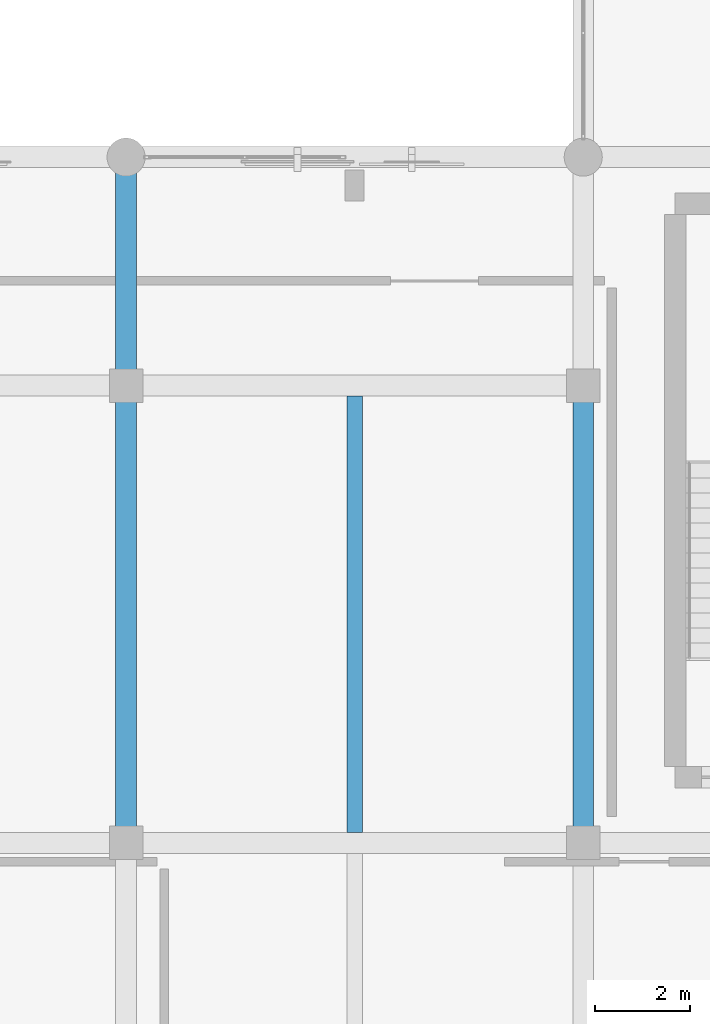
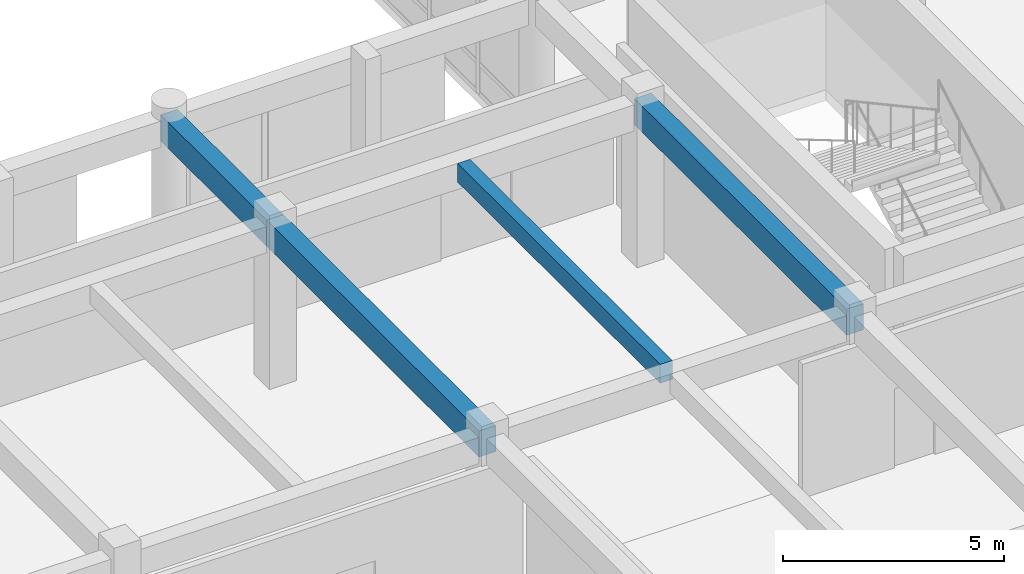
# One storey, part 29 of 133: 4 beams.
"""IFC4 building model written with IfcOpenShell, lengths in metres."""

from ifc_helpers import new_model, si_unit, direction, frame, origin, origin_2d, place, context, subcontext, project, spatial, rectangle, extrude, material, material_profile, profile_set, type_object, element, save


model = new_model("IFC4")

# Units and contexts
model_context = context("Model", 3, precision=1e-05, world=origin(), true_north=direction((0.0, 1.0)))
body_context = subcontext(model_context, "Body", "Model", "MODEL_VIEW")
ifc_project = project(units=[si_unit("LENGTHUNIT", "METRE"), si_unit("AREAUNIT", "SQUARE_METRE"), si_unit("VOLUMEUNIT", "CUBIC_METRE"), si_unit("PLANEANGLEUNIT", "RADIAN"), si_unit("MASSUNIT", "GRAM", prefix="KILO")], contexts=[model_context])

# Site, building, storey
site_placement = place(None, origin())
site = spatial("IfcSite", under=ifc_project, at=site_placement, CompositionType="ELEMENT")
building_placement = place(site_placement, origin())
building = spatial("IfcBuilding", under=site, at=building_placement, Name="Nakhvara Creek Congress Hotel", CompositionType="ELEMENT")
storey_placement = place(building_placement, frame((0.0, 0.0, 11.39990234375)))
storey = spatial("IfcBuildingStorey", under=building, at=storey_placement, Name="L02", CompositionType="ELEMENT", Elevation=11.39990234375)

# Beams
ifc_material = material(Name="Concrete C40/50", Category="concrete")
ifc_material_profile_1 = material_profile(ifc_material, rectangle(XDim=0.320068359375, YDim=0.52001953125, at=origin_2d()), Name="RC-BM 320x520", Category="LoadBearing")
ifc_profile_set_1 = profile_set([ifc_material_profile_1], Name="Concrete C40/50")
beam_type_1 = type_object("IfcBeamType", Name="BM-RC-320X520", PredefinedType="JOIST", material=ifc_profile_set_1)
beam_1_placement = place(storey_placement, frame((120.0, 29.02001953125, 4.16015625), z_axis=(0.0, 1.0, 0.0), x_axis=(-1.0, 0.0, 0.0)))
element("IfcBeam", 1, at=beam_1_placement, inside=storey, type_object=beam_type_1, Name="Secondary Joist BJ2-L02-1685", PredefinedType="JOIST", context=body_context, shape_type="SweptSolid", body=[
    extrude(rectangle(XDim=0.320068359375, YDim=0.52001953125, at=origin_2d()), origin(), (0.0, 0.0, 1.0), 9.159912109375),
])
ifc_material_profile_2 = material_profile(ifc_material, rectangle(XDim=0.43994140625, YDim=0.719970703125, at=origin_2d()), Name="RC-BM 440x720", Category="LoadBearing")
ifc_profile_set_2 = profile_set([ifc_material_profile_2], Name="Concrete C40/50")
beam_type_2 = type_object("IfcBeamType", Name="BM-RC-440X720", PredefinedType="BEAM", material=ifc_profile_set_2)
beam_2_placement = place(storey_placement, frame((115.199951171875, 28.800048828125, 4.06005859375), z_axis=(0.0, 1.0, 0.0), x_axis=(-1.0, 0.0, 0.0)))
element("IfcBeam", 2, at=beam_2_placement, inside=storey, type_object=beam_type_2, Name="Beam B12-L02-1510", PredefinedType="BEAM", context=body_context, shape_type="SweptSolid", body=[
    extrude(rectangle(XDim=0.43994140625, YDim=0.719970703125, at=origin_2d()), origin(), (0.0, 0.0, 1.0), 9.599853515625),
])
beam_3_placement = place(storey_placement, frame((115.199951171875, 38.39990234375, 4.06005859375), z_axis=(0.0, 1.0, 0.0), x_axis=(-1.0, 0.0, 0.0)))
element("IfcBeam", 3, at=beam_3_placement, inside=storey, type_object=beam_type_2, Name="Beam B12-L02-1512", PredefinedType="BEAM", context=body_context, shape_type="SweptSolid", body=[
    extrude(rectangle(XDim=0.43994140625, YDim=0.719970703125, at=origin_2d()), origin(), (0.0, 0.0, 1.0), 4.800048828125),
])
beam_4_placement = place(storey_placement, frame((124.800048828125, 28.800048828125, 4.06005859375), z_axis=(0.0, 1.0, 0.0), x_axis=(-1.0, 0.0, 0.0)))
element("IfcBeam", 4, at=beam_4_placement, inside=storey, type_object=beam_type_2, Name="Beam B12-L02-1525", PredefinedType="BEAM", context=body_context, shape_type="SweptSolid", body=[
    extrude(rectangle(XDim=0.43994140625, YDim=0.719970703125, at=origin_2d()), origin(), (0.0, 0.0, 1.0), 9.599853515625),
])

save(model, "model.ifc")
